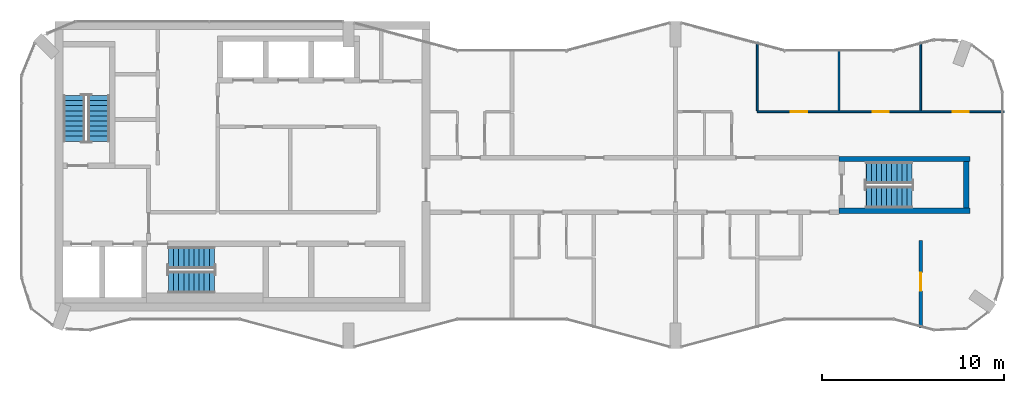
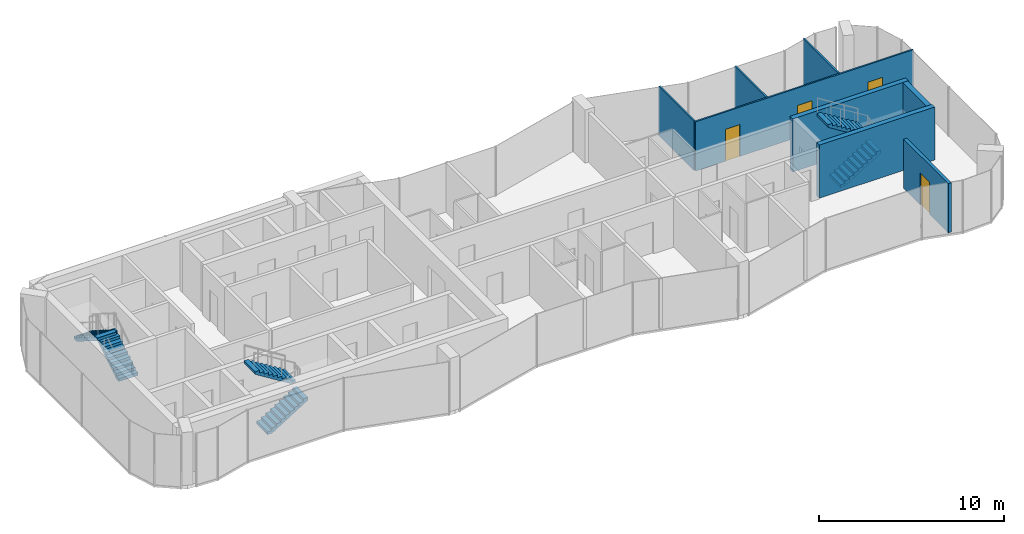
# One storey, part 9 of 10: 8 walls, 6 stair flights, 4 doors, 4 openings, 3 elements without a shape of their own.
"""IFC4 building model written with IfcOpenShell, lengths in metres."""

from ifc_helpers import new_model, si_unit, direction, frame, frame_2d, origin, place, context, subcontext, project, spatial, polyline, rectangle, outline, extrude, material, layer, layer_set, type_object, element, fill, aggregate, save


model = new_model("IFC4")

# Units and contexts
model_context = context("Model", 3, precision=1e-05, world=origin(), true_north=direction((0.0, 1.0)))
body_context = subcontext(model_context, "Body", "Model", "MODEL_VIEW")
ifc_project = project(units=[si_unit("LENGTHUNIT", "METRE"), si_unit("AREAUNIT", "SQUARE_METRE"), si_unit("VOLUMEUNIT", "CUBIC_METRE"), si_unit("PLANEANGLEUNIT", "RADIAN"), si_unit("MASSUNIT", "GRAM", prefix="KILO")], contexts=[model_context])

# Site, building, storey
site_placement = place(None, origin())
site = spatial("IfcSite", under=ifc_project, at=site_placement, CompositionType="ELEMENT")
building_placement = place(site_placement, origin())
building = spatial("IfcBuilding", under=site, at=building_placement, Name="Plateau Cross Towers", CompositionType="ELEMENT")
storey_placement = place(building_placement, frame((0.0, 0.0, 263.39990234375)))
storey = spatial("IfcBuildingStorey", under=building, at=storey_placement, Name="L69", CompositionType="ELEMENT", Elevation=263.39990234375)

# Wall, openings, doors
ifc_material_1 = material(Name="Gypsum board on steel studs", Category="steel")
ifc_layer_1 = layer(ifc_material_1, 0.10009765625)
ifc_layer_set_1 = layer_set([ifc_layer_1], Name="Gypsum board on steel studs")
wall_type_1 = type_object("IfcWallType", Name="Flat partition 100", PredefinedType="PARTITIONING", material=ifc_layer_set_1)
wall_1_placement = place(storey_placement, frame((40.5, 13.02490234375, 0.0), z_axis=(0.0, 0.0, 1.0), x_axis=(1.0, 0.0, 0.0)))
wall_1 = element("IfcWall", 1, at=wall_1_placement, inside=storey, type_object=wall_type_1, Name="Partition wall", PredefinedType="PARTITIONING", context=body_context, shape_type="SweptSolid", body=[
    extrude(rectangle(XDim=13.580078125, YDim=0.10009765625, at=frame_2d((6.7900390625, 0.0))), origin(), (0.0, 0.0, 1.0), 3.25),
])
opening_1_placement = place(wall_1_placement, frame((1.85009765625, 0.0, 0.0)))
opening_1 = element("IfcOpeningElement", 2, at=opening_1_placement, cuts=wall_1, Name="Opening 69-20", PredefinedType="OPENING", context=body_context, shape_type="SweptSolid", body=[
    extrude(rectangle(XDim=0.89990234375, YDim=2.10009765625, at=frame_2d((0.449951171875, 1.050048828125))), frame((0.0, 0.06005859375, 0.0), z_axis=(0.0, -1.0, 0.0), x_axis=(1.0, 0.0, 0.0)), (0.0, 0.0, 1.0), 0.1201171875),
])
opening_2_placement = place(wall_1_placement, frame((6.35009765625, 0.0, 0.0)))
opening_2 = element("IfcOpeningElement", 3, at=opening_2_placement, cuts=wall_1, Name="Opening 69-21", PredefinedType="OPENING", context=body_context, shape_type="SweptSolid", body=[
    extrude(rectangle(XDim=0.89990234375, YDim=2.10009765625, at=frame_2d((0.449951171875, 1.050048828125))), frame((0.0, 0.06005859375, 0.0), z_axis=(0.0, -1.0, 0.0), x_axis=(1.0, 0.0, 0.0)), (0.0, 0.0, 1.0), 0.1201171875),
])
opening_3_placement = place(wall_1_placement, frame((10.75, 0.0, 0.0)))
opening_3 = element("IfcOpeningElement", 4, at=opening_3_placement, cuts=wall_1, Name="Opening 69-22", PredefinedType="OPENING", context=body_context, shape_type="SweptSolid", body=[
    extrude(rectangle(XDim=0.89990234375, YDim=2.10009765625, at=frame_2d((0.449951171875, 1.050048828125))), frame((0.0, 0.06005859375, 0.0), z_axis=(0.0, -1.0, 0.0), x_axis=(1.0, 0.0, 0.0)), (0.0, 0.0, 1.0), 0.1201171875),
])
ifc_material_2 = material(Name="Timber leaf", Category="wood")
door_type_1 = type_object("IfcDoorType", Name="Flat room door 900", OperationType="NOTDEFINED", PredefinedType="DOOR", material=ifc_material_2)
door_1_placement = place(opening_1_placement, origin())
door_1 = element("IfcDoor", 5, at=door_1_placement, inside=storey, type_object=door_type_1, Name="Door 69-20", OperationType="SINGLE_SWING_LEFT", OverallHeight=2.10009765625, OverallWidth=0.89990234375, PredefinedType="DOOR", context=body_context, shape_type="SweptSolid", body=[
    extrude(rectangle(XDim=0.89990234375, YDim=2.10009765625, at=frame_2d((0.449951171875, 1.050048828125))), frame((0.0, 0.02490234375, 0.0), z_axis=(0.0, -1.0, 0.0), x_axis=(1.0, 0.0, 0.0)), (0.0, 0.0, 1.0), 0.050048828125),
])
fill(opening_1, door_1)
door_2_placement = place(opening_2_placement, origin())
door_2 = element("IfcDoor", 6, at=door_2_placement, inside=storey, type_object=door_type_1, Name="Door 69-21", OperationType="SINGLE_SWING_RIGHT", OverallHeight=2.10009765625, OverallWidth=0.89990234375, PredefinedType="DOOR", context=body_context, shape_type="SweptSolid", body=[
    extrude(rectangle(XDim=0.89990234375, YDim=2.10009765625, at=frame_2d((0.449951171875, 1.050048828125))), frame((0.0, 0.02490234375, 0.0), z_axis=(0.0, -1.0, 0.0), x_axis=(1.0, 0.0, 0.0)), (0.0, 0.0, 1.0), 0.050048828125),
])
fill(opening_2, door_2)
door_3_placement = place(opening_3_placement, origin())
door_3 = element("IfcDoor", 7, at=door_3_placement, inside=storey, type_object=door_type_1, Name="Door 69-22", OperationType="SINGLE_SWING_RIGHT", OverallHeight=2.10009765625, OverallWidth=0.89990234375, PredefinedType="DOOR", context=body_context, shape_type="SweptSolid", body=[
    extrude(rectangle(XDim=0.89990234375, YDim=2.10009765625, at=frame_2d((0.449951171875, 1.050048828125))), frame((0.0, 0.02490234375, 0.0), z_axis=(0.0, -1.0, 0.0), x_axis=(1.0, 0.0, 0.0)), (0.0, 0.0, 1.0), 0.050048828125),
])
fill(opening_3, door_3)

# Walls
wall_2_placement = place(storey_placement, frame((40.5, 16.877685546875, 0.0), z_axis=(0.0, 0.0, 1.0), x_axis=(0.0, -1.0, 0.0)))
element("IfcWall", 8, at=wall_2_placement, inside=storey, type_object=wall_type_1, Name="Partition wall", PredefinedType="PARTITIONING", context=body_context, shape_type="SweptSolid", body=[
    extrude(rectangle(XDim=3.802734375, YDim=0.10009765625, at=frame_2d((1.9013671875, 0.0))), origin(), (0.0, 0.0, 1.0), 3.25),
])
wall_3_placement = place(storey_placement, frame((45.0, 13.074951171875, 0.0), z_axis=(0.0, 0.0, 1.0), x_axis=(0.0, 1.0, 0.0)))
element("IfcWall", 9, at=wall_3_placement, inside=storey, type_object=wall_type_1, Name="Partition wall", PredefinedType="PARTITIONING", context=body_context, shape_type="SweptSolid", body=[
    extrude(rectangle(XDim=3.398193359375, YDim=0.10009765625, at=frame_2d((1.69921875, 0.0))), origin(), (0.0, 0.0, 1.0), 3.25),
])
wall_4_placement = place(storey_placement, frame((49.5, 13.074951171875, 0.0), z_axis=(0.0, 0.0, 1.0), x_axis=(0.0, 1.0, 0.0)))
element("IfcWall", 10, at=wall_4_placement, inside=storey, type_object=wall_type_1, Name="Partition wall", PredefinedType="PARTITIONING", context=body_context, shape_type="SweptSolid", body=[
    extrude(rectangle(XDim=3.802734375, YDim=0.10009765625, at=frame_2d((1.9013671875, 0.0))), origin(), (0.0, 0.0, 1.0), 3.25),
])

# Wall, opening, door
ifc_material_3 = material(Name="Gypsum board on steel studs, two layers each side", Category="steel")
ifc_layer_2 = layer(ifc_material_3, 0.199951171875)
ifc_layer_set_2 = layer_set([ifc_layer_2], Name="Gypsum board on steel studs, two layers each side")
wall_type_2 = type_object("IfcWallType", Name="Flat party wall 200", PredefinedType="PARTITIONING", material=ifc_layer_set_2)
wall_5_placement = place(storey_placement, frame((49.5, 1.122314453125, 0.0), z_axis=(0.0, 0.0, 1.0), x_axis=(0.0, 1.0, 0.0)))
wall_5 = element("IfcWall", 11, at=wall_5_placement, inside=storey, type_object=wall_type_2, Name="Party wall", PredefinedType="PARTITIONING", context=body_context, shape_type="SweptSolid", body=[
    extrude(rectangle(XDim=4.82763671875, YDim=0.199951171875, at=frame_2d((2.413818359375, 0.0))), origin(), (0.0, 0.0, 1.0), 3.25),
])
opening_4_placement = place(wall_5_placement, frame((2.050048828125, 0.0, 0.0)))
opening_4 = element("IfcOpeningElement", 12, at=opening_4_placement, cuts=wall_5, Name="Opening 69-11", PredefinedType="OPENING", context=body_context, shape_type="SweptSolid", body=[
    extrude(rectangle(XDim=1.0, YDim=2.10009765625, at=frame_2d((0.5, 1.050048828125))), frame((0.0, 0.10986328125, 0.0), z_axis=(0.0, -1.0, 0.0), x_axis=(1.0, 0.0, 0.0)), (0.0, 0.0, 1.0), 0.219970703125),
])
ifc_material_4 = material(Name="Timber, fire-resisting leaf", Category="wood")
door_type_2 = type_object("IfcDoorType", Name="Flat entrance door 1000", OperationType="NOTDEFINED", PredefinedType="DOOR", material=ifc_material_4)
door_4_placement = place(opening_4_placement, origin())
door_4 = element("IfcDoor", 13, at=door_4_placement, inside=storey, type_object=door_type_2, Name="Door 69-11", OperationType="SINGLE_SWING_RIGHT", OverallHeight=2.10009765625, OverallWidth=1.0, PredefinedType="DOOR", context=body_context, shape_type="SweptSolid", body=[
    extrude(rectangle(XDim=1.0, YDim=2.10009765625, at=frame_2d((0.5, 1.050048828125))), frame((0.0, 0.02490234375, 0.0), z_axis=(0.0, -1.0, 0.0), x_axis=(1.0, 0.0, 0.0)), (0.0, 0.0, 1.0), 0.050048828125),
])
fill(opening_4, door_4)

# Walls
ifc_material_5 = material(Name="Concrete C60/75", Category="concrete")
ifc_layer_3 = layer(ifc_material_5, 0.300048828125)
ifc_layer_set_3 = layer_set([ifc_layer_3], Name="Concrete C60/75")
wall_type_3 = type_object("IfcWallType", Name="Stair tower wall 300", PredefinedType="SHEAR", material=ifc_layer_set_3)
wall_6_placement = place(storey_placement, frame((52.0, 7.72509765625, 0.0), z_axis=(0.0, 0.0, 1.0), x_axis=(0.0, 1.0, 0.0)))
element("IfcWall", 14, at=wall_6_placement, inside=storey, type_object=wall_type_3, Name="A-end-E-E@L69", PredefinedType="SHEAR", context=body_context, shape_type="SweptSolid", body=[
    extrude(rectangle(XDim=2.5498046875, YDim=0.300048828125, at=frame_2d((1.27490234375, 0.0))), origin(), (0.0, 0.0, 1.0), 3.5),
])
for number, where, z_axis, x_axis, name in (
    (15, (45.0, 7.574951171875, 0.0), (0.0, 0.0, 1.0), (1.0, 0.0, 0.0), "A-end-E-S@L69"),
    (16, (45.0, 10.425048828125, 0.0), (0.0, 0.0, 1.0), (1.0, 0.0, 0.0), "A-end-E-N@L69"),
):
    element("IfcWall", number, at=place(storey_placement, frame(where, z_axis=z_axis, x_axis=x_axis)), inside=storey, type_object=wall_type_3, Name=name, PredefinedType="SHEAR", context=body_context, shape_type="SweptSolid", body=[
        extrude(rectangle(XDim=7.199951171875, YDim=0.300048828125, at=frame_2d((3.60009765625, 0.0))), origin(), (0.0, 0.0, 1.0), 3.5),
    ])

# Stair, stair flights
ifc_material_6 = material(Name="Concrete C40/50", Category="concrete")
stair_type = type_object("IfcStairType", Name="ST-TWR", PredefinedType="HALF_TURN_STAIR", material=ifc_material_6)
stair_1_placement = place(storey_placement, origin())
stair_1 = element("IfcStair", 17, at=stair_1_placement, inside=storey, type_object=stair_type, Name="L69 Protected Exit Stair ST-1", PredefinedType="HALF_TURN_STAIR")
stair_flight_type = type_object("IfcStairFlightType", Name="SFL-RC", PredefinedType="STRAIGHT", material=ifc_material_6)
stair_flight_1_placement = place(storey_placement, frame((4.25, 11.39990234375, 0.0), z_axis=(0.0, 0.0, 1.0), x_axis=(0.0, 1.0, 0.0)))
stair_flight_1 = element("IfcStairFlight", 18, at=stair_flight_1_placement, type_object=stair_flight_type, Name="ST-1 flight 1", NumberOfRisers=10, NumberOfTreads=9, PredefinedType="STRAIGHT", RiserHeight=0.175, TreadLength=0.28, context=body_context, shape_type="SweptSolid", body=[
    extrude(outline(polyline([(-0.0048828125, -0.010009765625), (-0.0048828125, 0.0), (0.0, 0.0), (0.0, 0.175048828125), (0.280029296875, 0.175048828125), (0.280029296875, 0.35009765625), (0.56005859375, 0.35009765625), (0.56005859375, 0.52490234375), (0.840087890625, 0.52490234375), (0.840087890625, 0.699951171875), (1.1201171875, 0.699951171875), (1.1201171875, 0.875), (1.39990234375, 0.875), (1.39990234375, 1.050048828125), (1.679931640625, 1.050048828125), (1.679931640625, 1.22509765625), (1.9599609375, 1.22509765625), (1.9599609375, 1.39990234375), (2.239990234375, 1.39990234375), (2.239990234375, 1.574951171875), (2.52001953125, 1.574951171875), (2.52490234375, 1.56494140625), (2.52490234375, 1.398193359375), (2.52001953125, 1.398193359375), (0.28271484375, 0.0), (0.02001953125, 0.0), (0.02001953125, -0.010009765625), (-0.0048828125, -0.010009765625)])), frame((0.0, 0.60009765625, 0.0), z_axis=(0.0, -1.0, 0.0), x_axis=(1.0, 0.0, 0.0)), (0.0, 0.0, 1.0), 1.199951171875),
])
stair_flight_2_placement = place(storey_placement, frame((2.89990234375, 13.919921875, 1.75), z_axis=(0.0, 0.0, 1.0), x_axis=(0.0, -1.0, 0.0)))
stair_flight_2 = element("IfcStairFlight", 19, at=stair_flight_2_placement, type_object=stair_flight_type, Name="ST-1 flight 2", NumberOfRisers=10, NumberOfTreads=9, PredefinedType="STRAIGHT", RiserHeight=0.175, TreadLength=0.28, context=body_context, shape_type="SweptSolid", body=[
    extrude(outline(polyline([(-0.0048828125, -0.010009765625), (-0.0048828125, 0.0), (0.0, 0.0), (0.0, 0.175048828125), (0.280029296875, 0.175048828125), (0.280029296875, 0.35009765625), (0.56005859375, 0.35009765625), (0.56005859375, 0.52490234375), (0.840087890625, 0.52490234375), (0.840087890625, 0.699951171875), (1.1201171875, 0.699951171875), (1.1201171875, 0.875), (1.39990234375, 0.875), (1.39990234375, 1.050048828125), (1.679931640625, 1.050048828125), (1.679931640625, 1.22509765625), (1.9599609375, 1.22509765625), (1.9599609375, 1.39990234375), (2.239990234375, 1.39990234375), (2.239990234375, 1.574951171875), (2.52001953125, 1.574951171875), (2.52490234375, 1.56494140625), (2.52490234375, 1.398193359375), (2.52001953125, 1.398193359375), (0.28271484375, 0.0), (0.02001953125, 0.0), (0.02001953125, -0.010009765625), (-0.0048828125, -0.010009765625)])), frame((0.0, 0.60009765625, 0.0), z_axis=(0.0, -1.0, 0.0), x_axis=(1.0, 0.0, 0.0)), (0.0, 0.0, 1.0), 1.199951171875),
])
aggregate(stair_1, [stair_flight_1, stair_flight_2])

stair_2_placement = place(storey_placement, origin())
stair_2 = element("IfcStair", 20, at=stair_2_placement, inside=storey, type_object=stair_type, Name="L69 Protected Exit Stair ST-2", PredefinedType="HALF_TURN_STAIR")
stair_flight_3_placement = place(storey_placement, frame((8.10009765625, 3.64990234375, 0.0), z_axis=(0.0, 0.0, 1.0), x_axis=(1.0, 0.0, 0.0)))
stair_flight_3 = element("IfcStairFlight", 21, at=stair_flight_3_placement, type_object=stair_flight_type, Name="ST-2 flight 1", NumberOfRisers=10, NumberOfTreads=9, PredefinedType="STRAIGHT", RiserHeight=0.175, TreadLength=0.28, context=body_context, shape_type="SweptSolid", body=[
    extrude(outline(polyline([(-0.0048828125, -0.010009765625), (-0.0048828125, 0.0), (0.0, 0.0), (0.0, 0.175048828125), (0.280029296875, 0.175048828125), (0.280029296875, 0.35009765625), (0.56005859375, 0.35009765625), (0.56005859375, 0.52490234375), (0.840087890625, 0.52490234375), (0.840087890625, 0.699951171875), (1.1201171875, 0.699951171875), (1.1201171875, 0.875), (1.39990234375, 0.875), (1.39990234375, 1.050048828125), (1.679931640625, 1.050048828125), (1.679931640625, 1.22509765625), (1.9599609375, 1.22509765625), (1.9599609375, 1.39990234375), (2.239990234375, 1.39990234375), (2.239990234375, 1.574951171875), (2.52001953125, 1.574951171875), (2.52490234375, 1.56494140625), (2.52490234375, 1.398193359375), (2.52001953125, 1.398193359375), (0.28271484375, 0.0), (0.02001953125, 0.0), (0.02001953125, -0.010009765625), (-0.0048828125, -0.010009765625)])), frame((0.0, 0.60009765625, 0.0), z_axis=(0.0, -1.0, 0.0), x_axis=(1.0, 0.0, 0.0)), (0.0, 0.0, 1.0), 1.199951171875),
])
stair_flight_4_placement = place(storey_placement, frame((10.6201171875, 5.0, 1.75), z_axis=(0.0, 0.0, 1.0), x_axis=(-1.0, 0.0, 0.0)))
stair_flight_4 = element("IfcStairFlight", 22, at=stair_flight_4_placement, type_object=stair_flight_type, Name="ST-2 flight 2", NumberOfRisers=10, NumberOfTreads=9, PredefinedType="STRAIGHT", RiserHeight=0.175, TreadLength=0.28, context=body_context, shape_type="SweptSolid", body=[
    extrude(outline(polyline([(-0.0048828125, -0.010009765625), (-0.0048828125, 0.0), (0.0, 0.0), (0.0, 0.175048828125), (0.280029296875, 0.175048828125), (0.280029296875, 0.35009765625), (0.56005859375, 0.35009765625), (0.56005859375, 0.52490234375), (0.840087890625, 0.52490234375), (0.840087890625, 0.699951171875), (1.1201171875, 0.699951171875), (1.1201171875, 0.875), (1.39990234375, 0.875), (1.39990234375, 1.050048828125), (1.679931640625, 1.050048828125), (1.679931640625, 1.22509765625), (1.9599609375, 1.22509765625), (1.9599609375, 1.39990234375), (2.239990234375, 1.39990234375), (2.239990234375, 1.574951171875), (2.52001953125, 1.574951171875), (2.52490234375, 1.56494140625), (2.52490234375, 1.398193359375), (2.52001953125, 1.398193359375), (0.28271484375, 0.0), (0.02001953125, 0.0), (0.02001953125, -0.010009765625), (-0.0048828125, -0.010009765625)])), frame((0.0, 0.60009765625, 0.0), z_axis=(0.0, -1.0, 0.0), x_axis=(1.0, 0.0, 0.0)), (0.0, 0.0, 1.0), 1.199951171875),
])
aggregate(stair_2, [stair_flight_3, stair_flight_4])

stair_3_placement = place(storey_placement, origin())
stair_3 = element("IfcStair", 23, at=stair_3_placement, inside=storey, type_object=stair_type, Name="L69 Protected Exit Stair E", PredefinedType="HALF_TURN_STAIR")
stair_flight_5_placement = place(storey_placement, frame((46.5, 8.324951171875, 0.0), z_axis=(0.0, 0.0, 1.0), x_axis=(1.0, 0.0, 0.0)))
stair_flight_5 = element("IfcStairFlight", 24, at=stair_flight_5_placement, type_object=stair_flight_type, Name="ES-E flight 1", NumberOfRisers=10, NumberOfTreads=9, PredefinedType="STRAIGHT", RiserHeight=0.175, TreadLength=0.28, context=body_context, shape_type="SweptSolid", body=[
    extrude(outline(polyline([(-0.0048828125, -0.010009765625), (-0.0048828125, 0.0), (0.0, 0.0), (0.0, 0.175048828125), (0.280029296875, 0.175048828125), (0.280029296875, 0.35009765625), (0.56005859375, 0.35009765625), (0.56005859375, 0.52490234375), (0.840087890625, 0.52490234375), (0.840087890625, 0.699951171875), (1.1201171875, 0.699951171875), (1.1201171875, 0.875), (1.39990234375, 0.875), (1.39990234375, 1.050048828125), (1.679931640625, 1.050048828125), (1.679931640625, 1.22509765625), (1.9599609375, 1.22509765625), (1.9599609375, 1.39990234375), (2.239990234375, 1.39990234375), (2.239990234375, 1.574951171875), (2.52001953125, 1.574951171875), (2.52490234375, 1.56494140625), (2.52490234375, 1.398193359375), (2.52001953125, 1.398193359375), (0.28271484375, 0.0), (0.02001953125, 0.0), (0.02001953125, -0.010009765625), (-0.0048828125, -0.010009765625)])), frame((0.0, 0.60009765625, 0.0), z_axis=(0.0, -1.0, 0.0), x_axis=(1.0, 0.0, 0.0)), (0.0, 0.0, 1.0), 1.199951171875),
])
stair_flight_6_placement = place(storey_placement, frame((49.02001953125, 9.675048828125, 1.75), z_axis=(0.0, 0.0, 1.0), x_axis=(-1.0, 0.0, 0.0)))
stair_flight_6 = element("IfcStairFlight", 25, at=stair_flight_6_placement, type_object=stair_flight_type, Name="ES-E flight 2", NumberOfRisers=10, NumberOfTreads=9, PredefinedType="STRAIGHT", RiserHeight=0.175, TreadLength=0.28, context=body_context, shape_type="SweptSolid", body=[
    extrude(outline(polyline([(-0.0048828125, -0.010009765625), (-0.0048828125, 0.0), (0.0, 0.0), (0.0, 0.175048828125), (0.280029296875, 0.175048828125), (0.280029296875, 0.35009765625), (0.56005859375, 0.35009765625), (0.56005859375, 0.52490234375), (0.840087890625, 0.52490234375), (0.840087890625, 0.699951171875), (1.1201171875, 0.699951171875), (1.1201171875, 0.875), (1.39990234375, 0.875), (1.39990234375, 1.050048828125), (1.679931640625, 1.050048828125), (1.679931640625, 1.22509765625), (1.9599609375, 1.22509765625), (1.9599609375, 1.39990234375), (2.239990234375, 1.39990234375), (2.239990234375, 1.574951171875), (2.52001953125, 1.574951171875), (2.52490234375, 1.56494140625), (2.52490234375, 1.398193359375), (2.52001953125, 1.398193359375), (0.28271484375, 0.0), (0.02001953125, 0.0), (0.02001953125, -0.010009765625), (-0.0048828125, -0.010009765625)])), frame((0.0, 0.60009765625, 0.0), z_axis=(0.0, -1.0, 0.0), x_axis=(1.0, 0.0, 0.0)), (0.0, 0.0, 1.0), 1.199951171875),
])
aggregate(stair_3, [stair_flight_5, stair_flight_6])

save(model, "model.ifc")
